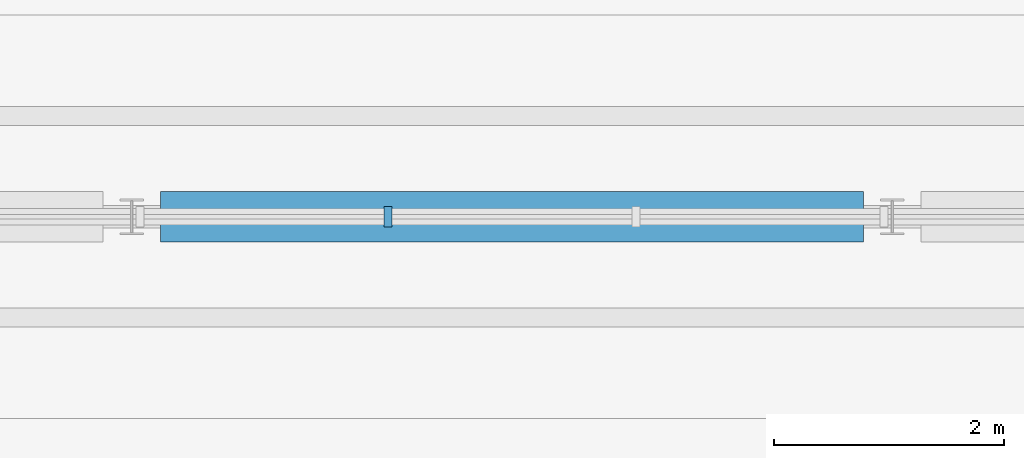
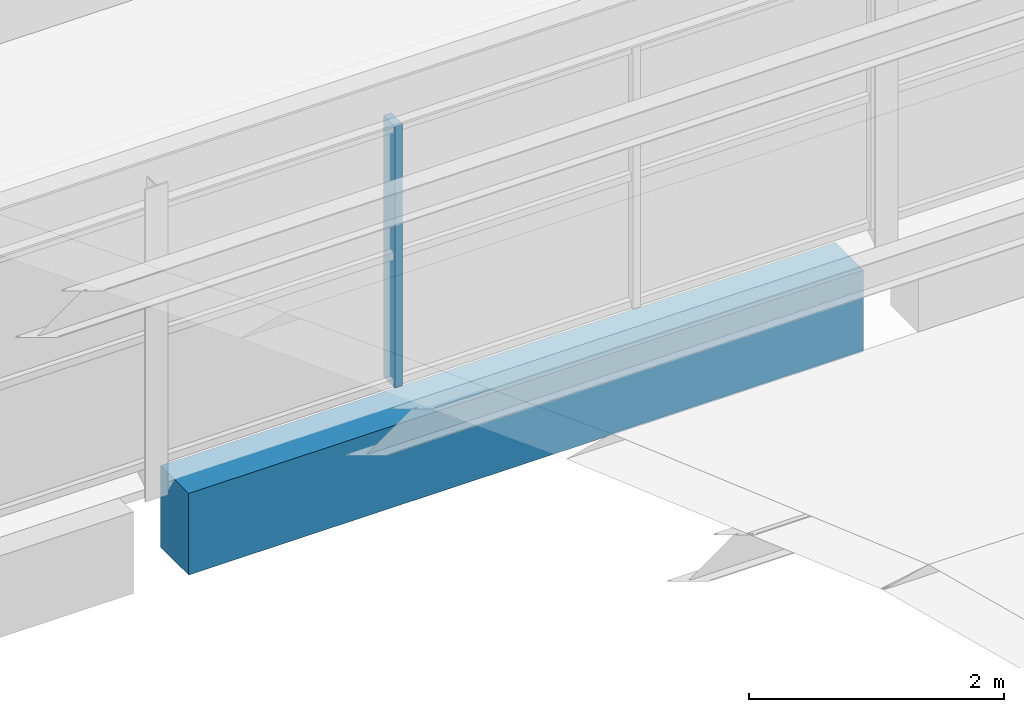
# One storey, part 20 of 92: 1 beam, 1 member, 1 element without a shape of its own.
"""IFC4 building model written with IfcOpenShell, lengths in metres."""

from ifc_helpers import new_model, si_unit, direction, frame, origin, origin_2d, place, context, subcontext, project, spatial, rectangle, extrude, material, material_profile, profile_set, type_object, element, aggregate, save


model = new_model("IFC4")

# Units and contexts
model_context = context("Model", 3, precision=1e-05, world=origin(), true_north=direction((0.0, 1.0)))
body_context = subcontext(model_context, "Body", "Model", "MODEL_VIEW")
ifc_project = project(units=[si_unit("LENGTHUNIT", "METRE"), si_unit("AREAUNIT", "SQUARE_METRE"), si_unit("VOLUMEUNIT", "CUBIC_METRE"), si_unit("PLANEANGLEUNIT", "RADIAN"), si_unit("MASSUNIT", "GRAM", prefix="KILO")], contexts=[model_context])

# Site, building, storey
site_placement = place(None, origin())
site = spatial("IfcSite", under=ifc_project, at=site_placement, CompositionType="ELEMENT")
building_placement = place(site_placement, origin())
building = spatial("IfcBuilding", under=site, at=building_placement, Name="Ciguamira Faculty of Natural Sciences", CompositionType="ELEMENT")
storey_placement = place(building_placement, frame((0.0, 0.0, 16.800048828125)))
storey = spatial("IfcBuildingStorey", under=building, at=storey_placement, Name="L04", CompositionType="ELEMENT", Elevation=16.800048828125)

# Curtain wall, member
ifc_material_1 = material(Name="Anodized aluminium curtain wall", Category="aluminium")
curtain_wall_type = type_object("IfcCurtainWallType", Name="CurtainWall_CW-02", PredefinedType="USERDEFINED", material=ifc_material_1)
curtain_wall_placement = place(storey_placement, origin())
curtain_wall = element("IfcCurtainWall", 1, at=curtain_wall_placement, inside=storey, type_object=curtain_wall_type, Name="V4 north-light wave 1 clerestory glazing 1", ObjectType="UNITISED CURTAIN WALL", PredefinedType="USERDEFINED")
ifc_material_2 = material(Name="Anodized aluminium mullion", Category="aluminium")
ifc_material_profile_1 = material_profile(ifc_material_2, rectangle(XDim=0.070068359375, YDim=0.179931640625, at=origin_2d()), Name="ALU-MUL-70X180")
ifc_profile_set_1 = profile_set([ifc_material_profile_1], Name="Anodized aluminium mullion")
member_type = type_object("IfcMemberType", Name="CWMullion_CWM-02", PredefinedType="MULLION", material=ifc_profile_set_1)
member_placement = place(storey_placement, frame((85.923828125, 45.0, 0.25), z_axis=(0.0, 0.0, 1.0), x_axis=(1.0, 0.0, 0.0)))
member = element("IfcMember", 2, at=member_placement, type_object=member_type, Name="CW-02 mullion 11", PredefinedType="MULLION", context=body_context, shape_type="SweptSolid", body=[
    extrude(rectangle(XDim=0.070068359375, YDim=0.179931640625, at=origin_2d()), origin(), (0.0, 0.0, 1.0), 2.5),
])
aggregate(curtain_wall, [member])

# Beam
ifc_material_3 = material(Name="Concrete C40/50", Category="concrete")
ifc_material_profile_2 = material_profile(ifc_material_3, rectangle(XDim=0.43994140625, YDim=0.780029296875, at=origin_2d()), Name="RC-BM-440X780")
ifc_profile_set_2 = profile_set([ifc_material_profile_2], Name="Concrete C40/50")
beam_type = type_object("IfcBeamType", Name="RCBeam_BG-06_RC-BM-440X780", PredefinedType="BEAM", material=ifc_profile_set_2)
beam_placement = place(storey_placement, frame((83.949951171875, 45.0, -0.39013671875), z_axis=(1.0, 0.0, 0.0), x_axis=(0.0, 1.0, 0.0)))
element("IfcBeam", 3, at=beam_placement, inside=storey, type_object=beam_type, Name="V4 north-light wave 1 RC valley beam NVL-1-4", PredefinedType="BEAM", context=body_context, shape_type="SweptSolid", body=[
    extrude(rectangle(XDim=0.43994140625, YDim=0.780029296875, at=origin_2d()), origin(), (0.0, 0.0, 1.0), 6.10009765625),
])

save(model, "model.ifc")
